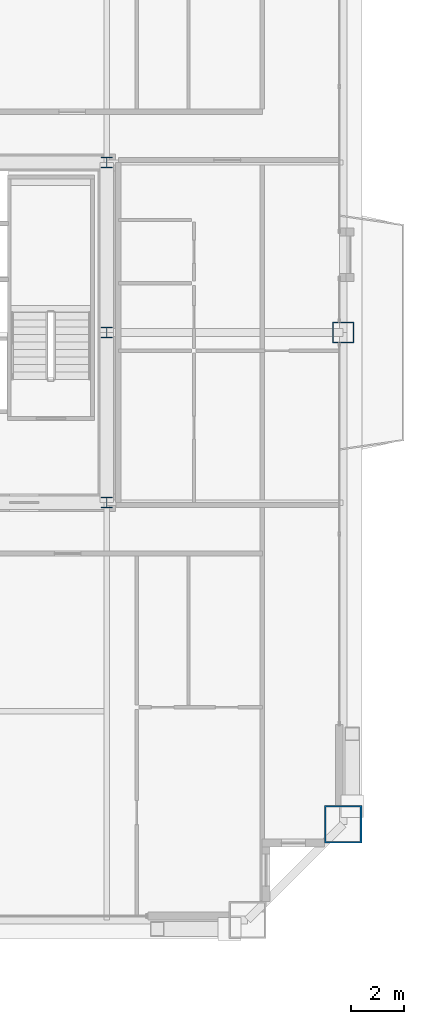
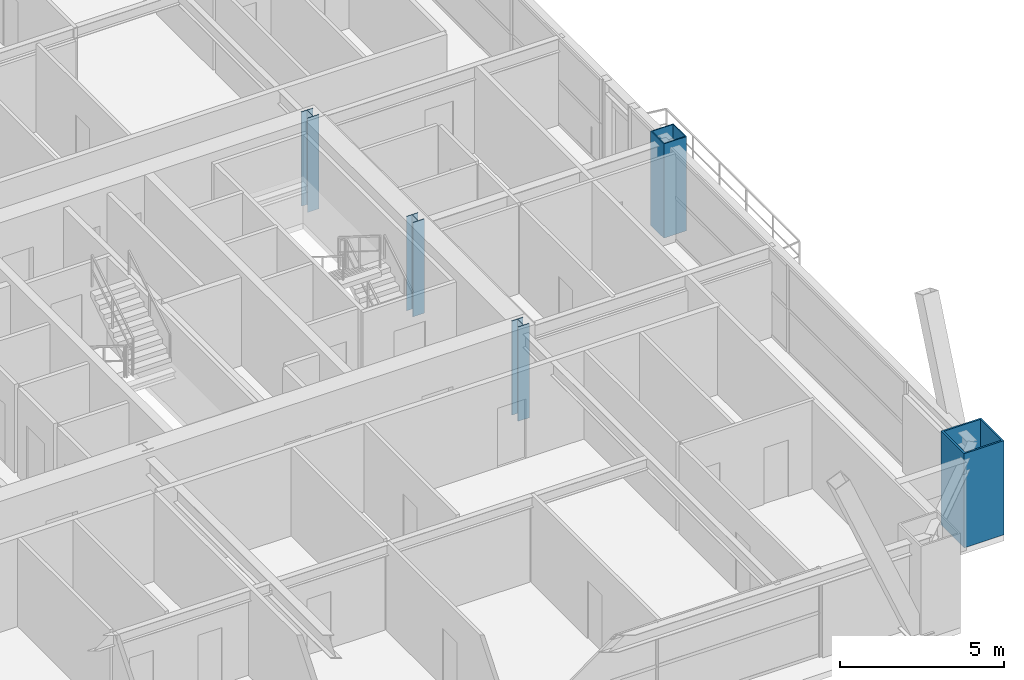
# One storey, part 2 of 45: 5 columns.
"""IFC4 building model written with IfcOpenShell, lengths in metres."""

from ifc_helpers import new_model, si_unit, direction, frame, origin, origin_2d, place, context, subcontext, project, spatial, hollow_rectangle, i_section, extrude, source, transform, mapped, material, material_profile, profile_set, type_object, element, save


model = new_model("IFC4")

# Units and contexts
model_context = context("Model", 3, precision=1e-05, world=origin(), true_north=direction((0.0, 1.0)))
body_context = subcontext(model_context, "Body", "Model", "MODEL_VIEW")
ifc_project = project(units=[si_unit("LENGTHUNIT", "METRE"), si_unit("AREAUNIT", "SQUARE_METRE"), si_unit("VOLUMEUNIT", "CUBIC_METRE"), si_unit("PLANEANGLEUNIT", "RADIAN"), si_unit("MASSUNIT", "GRAM", prefix="KILO"), si_unit("THERMODYNAMICTEMPERATUREUNIT", "KELVIN"), si_unit("POWERUNIT", "WATT")], contexts=[model_context])

# Site, building, storey
site_placement = place(None, origin())
site = spatial("IfcSite", under=ifc_project, at=site_placement, CompositionType="ELEMENT")
building_placement = place(site_placement, origin())
building = spatial("IfcBuilding", under=site, at=building_placement, Name="Yuzanri Waterfront Tower", CompositionType="ELEMENT")
storey_placement = place(building_placement, frame((0.0, 0.0, 191.5)))
storey = spatial("IfcBuildingStorey", under=building, at=storey_placement, Name="L50", CompositionType="ELEMENT", Elevation=191.5)

# Columns
ifc_material_1 = material(Name="Steel Q355B", Category="steel")
ifc_material_profile_1 = material_profile(ifc_material_1, i_section(OverallWidth=0.39990234375, OverallDepth=0.39990234375, WebThickness=0.012939453125, FlangeThickness=0.02099609375, at=origin_2d()), Name="HW 400x400x13x21")
ifc_profile_set_1 = profile_set([ifc_material_profile_1], Name="Steel Q355B")
column_type_1 = type_object("IfcColumnType", Name="Core Post Q355B HW 400x400x13x21", PredefinedType="COLUMN", material=ifc_profile_set_1)
shared_shape_1 = source(origin(), body_context, "Body", "SweptSolid", [
    extrude(i_section(OverallWidth=0.39990234375, OverallDepth=0.39990234375, WebThickness=0.012939453125, FlangeThickness=0.02099609375, at=origin_2d()), origin(), (0.0, 0.0, 1.0), 3.5),
])
for number, where, z_axis, x_axis, name in (
    (1, (50.199951171875, 19.39990234375, 0.0), (0.0, 0.0, 1.0), (1.0, 0.0, 0.0), "L50 Core Boundary Column CP3"),
    (2, (50.199951171875, 25.800048828125, 0.0), (0.0, 0.0, 1.0), (1.0, 0.0, 0.0), "L50 Core Boundary Column CP5"),
    (3, (50.199951171875, 32.199951171875, 0.0), (0.0, 0.0, 1.0), (1.0, 0.0, 0.0), "L50 Core Boundary Column CP8"),
):
    element("IfcColumn", number, at=place(storey_placement, frame(where, z_axis=z_axis, x_axis=x_axis)), inside=storey, type_object=column_type_1, Name=name, PredefinedType="COLUMN", context=body_context, shape_type="MappedRepresentation", body=[
        mapped(shared_shape_1, transform((0.0, 0.0, 0.0), scale=1.0)),
    ])
ifc_material_2 = material(Name="Steel Q420GJC", Category="steel")
ifc_material_profile_2 = material_profile(ifc_material_2, hollow_rectangle(XDim=1.39990234375, YDim=1.39990234375, WallThickness=0.06005859375, at=origin_2d()), Name="RHS 1400x1400x60")
ifc_profile_set_2 = profile_set([ifc_material_profile_2], Name="Steel Q420GJC")
column_type_2 = type_object("IfcColumnType", Name="Mega Column Q420GJC RHS 1400x1400x60", PredefinedType="COLUMN", material=ifc_profile_set_2)
shared_shape_2 = source(origin(), body_context, "Body", "SweptSolid", [
    extrude(hollow_rectangle(XDim=1.39990234375, YDim=1.39990234375, WallThickness=0.06005859375, at=origin_2d()), origin(), (0.0, 0.0, 1.0), 3.5),
])
column_1_placement = place(storey_placement, frame((59.10009765625, 7.300048828125, 0.0), z_axis=(0.0, 0.0, 1.0), x_axis=(1.0, 0.0, 0.0)))
element("IfcColumn", 4, at=column_1_placement, inside=storey, type_object=column_type_2, Name="L50 Perimeter Mega Column E1", PredefinedType="COLUMN", context=body_context, shape_type="MappedRepresentation", body=[
    mapped(shared_shape_2, transform((0.0, 0.0, 0.0), scale=1.0)),
])
ifc_material_3 = material(Name="Steel Q390GJC", Category="steel")
ifc_material_profile_3 = material_profile(ifc_material_3, hollow_rectangle(XDim=0.800048828125, YDim=0.800048828125, WallThickness=0.035888671875, at=origin_2d()), Name="RHS 800x800x36")
ifc_profile_set_3 = profile_set([ifc_material_profile_3], Name="Steel Q390GJC")
column_type_3 = type_object("IfcColumnType", Name="Frame Column Q390GJC RHS 800x800x36", PredefinedType="COLUMN", material=ifc_profile_set_3)
shared_shape_3 = source(origin(), body_context, "Body", "SweptSolid", [
    extrude(hollow_rectangle(XDim=0.800048828125, YDim=0.800048828125, WallThickness=0.035888671875, at=origin_2d()), origin(), (0.0, 0.0, 1.0), 3.5),
])
column_2_placement = place(storey_placement, frame((59.10009765625, 25.800048828125, 0.0), z_axis=(0.0, 0.0, 1.0), x_axis=(1.0, 0.0, 0.0)))
element("IfcColumn", 5, at=column_2_placement, inside=storey, type_object=column_type_3, Name="L50 Perimeter Frame Column E2", PredefinedType="COLUMN", context=body_context, shape_type="MappedRepresentation", body=[
    mapped(shared_shape_3, transform((0.0, 0.0, 0.0), scale=1.0)),
])

save(model, "model.ifc")
